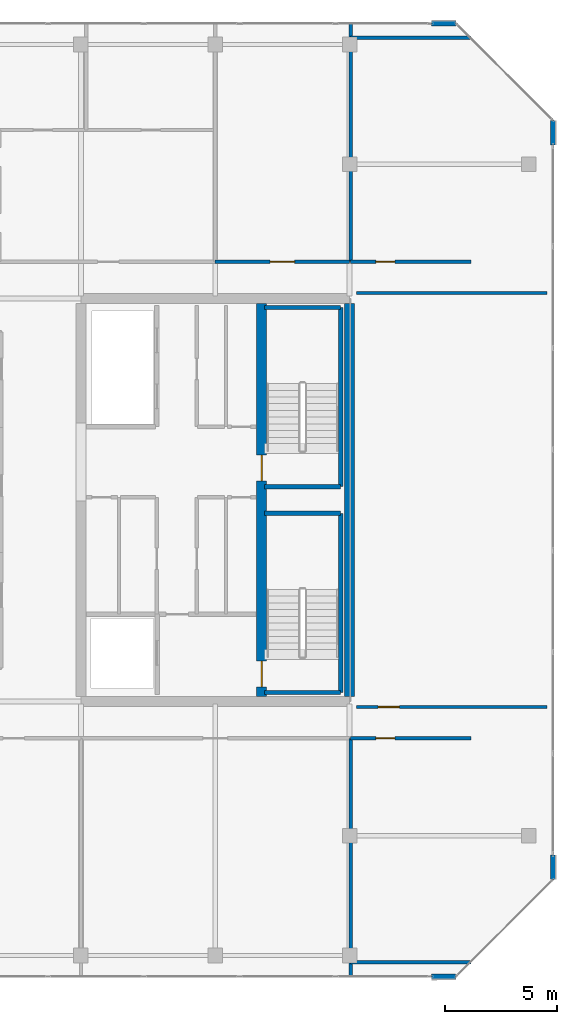
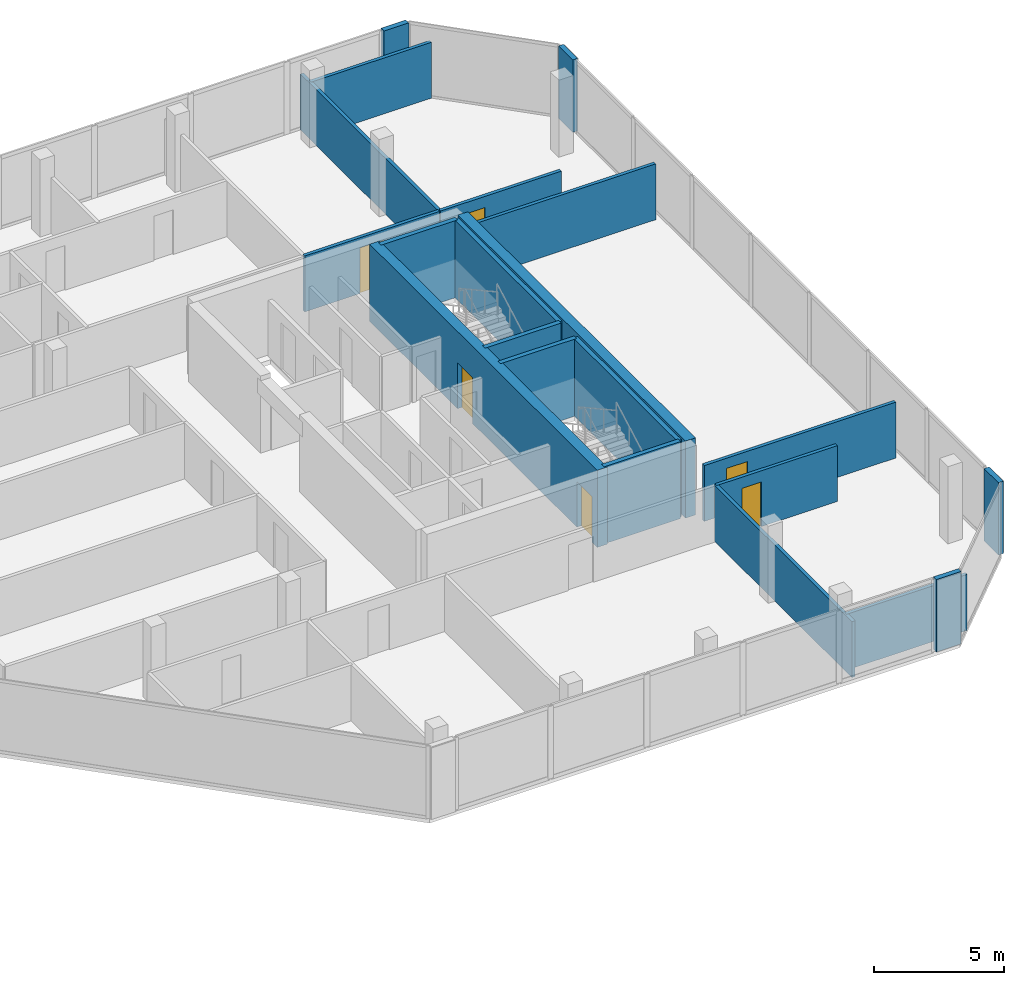
# One storey, part 26 of 30: 21 walls, 6 doors, 6 openings.
"""IFC4 building model written with IfcOpenShell, lengths in metres."""

from ifc_helpers import new_model, si_unit, direction, frame, frame_2d, origin, place, context, subcontext, project, spatial, rectangle, extrude, material, layer, layer_set, type_object, element, fill, save


model = new_model("IFC4")

# Units and contexts
model_context = context("Model", 3, precision=1e-05, world=origin(), true_north=direction((0.0, 1.0)))
body_context = subcontext(model_context, "Body", "Model", "MODEL_VIEW")
ifc_project = project(units=[si_unit("LENGTHUNIT", "METRE"), si_unit("AREAUNIT", "SQUARE_METRE"), si_unit("VOLUMEUNIT", "CUBIC_METRE"), si_unit("PLANEANGLEUNIT", "RADIAN"), si_unit("MASSUNIT", "GRAM", prefix="KILO")], contexts=[model_context])

# Site, building, storey
site_placement = place(None, origin())
site = spatial("IfcSite", under=ifc_project, at=site_placement, CompositionType="ELEMENT")
building_placement = place(site_placement, origin())
building = spatial("IfcBuilding", under=site, at=building_placement, Name="Tanjung Sevakor Pilgrim Tower", CompositionType="ELEMENT")
storey_placement = place(building_placement, frame((0.0, 0.0, 253.43994140625)))
storey = spatial("IfcBuildingStorey", under=building, at=storey_placement, Name="L71", CompositionType="ELEMENT", Elevation=253.43994140625)

# Wall
ifc_material_1 = material(Name="Concrete C60/75", Category="concrete")
ifc_layer_1 = layer(ifc_material_1, 0.449951171875)
ifc_layer_set_1 = layer_set([ifc_layer_1], Name="WALL-CW-450")
wall_type_1 = type_object("IfcWallType", Name="WALL-CW-450", PredefinedType="SHEAR", material=ifc_layer_set_1)
wall_1_placement = place(storey_placement, frame((90.0, 24.824951171875, 0.0), z_axis=(0.0, 0.0, 1.0), x_axis=(0.0, 1.0, 0.0)))
element("IfcWall", 1, at=wall_1_placement, inside=storey, type_object=wall_type_1, Name="L71 E Core Outer Shear Wall", PredefinedType="SHEAR", context=body_context, shape_type="SweptSolid", body=[
    extrude(rectangle(XDim=17.550048828125, YDim=0.449951171875, at=frame_2d((8.77490234375, 0.0))), origin(), (0.0, 0.0, 1.0), 3.630126953125),
])

# Wall, openings, doors
wall_2_placement = place(storey_placement, frame((86.074951171875, 24.824951171875, 0.0), z_axis=(0.0, 0.0, 1.0), x_axis=(0.0, 1.0, 0.0)))
wall_2 = element("IfcWall", 2, at=wall_2_placement, inside=storey, type_object=wall_type_1, Name="L71 E Core Stair Spine Wall", PredefinedType="SHEAR", context=body_context, shape_type="SweptSolid", body=[
    extrude(rectangle(XDim=17.550048828125, YDim=0.449951171875, at=frame_2d((8.77490234375, 0.0))), origin(), (0.0, 0.0, 1.0), 3.630126953125),
])
opening_1_placement = place(wall_2_placement, frame((0.425048828125, 0.0, 0.0)))
opening_1 = element("IfcOpeningElement", 3, at=opening_1_placement, cuts=wall_2, Name="Opening ID-ST1", PredefinedType="OPENING", context=body_context, shape_type="SweptSolid", body=[
    extrude(rectangle(XDim=1.14990234375, YDim=2.14990234375, at=frame_2d((0.574951171875, 1.074951171875))), frame((0.0, 0.23486328125, 0.0), z_axis=(0.0, -1.0, 0.0), x_axis=(1.0, 0.0, 0.0)), (0.0, 0.0, 1.0), 0.469970703125),
])
opening_2_placement = place(wall_2_placement, frame((9.625, 0.0, 0.0)))
opening_2 = element("IfcOpeningElement", 4, at=opening_2_placement, cuts=wall_2, Name="Opening ID-ST1", PredefinedType="OPENING", context=body_context, shape_type="SweptSolid", body=[
    extrude(rectangle(XDim=1.14990234375, YDim=2.14990234375, at=frame_2d((0.574951171875, 1.074951171875))), frame((0.0, 0.23486328125, 0.0), z_axis=(0.0, -1.0, 0.0), x_axis=(1.0, 0.0, 0.0)), (0.0, 0.0, 1.0), 0.469970703125),
])
ifc_material_2 = material(Name="Fire-Rated Steel S355J2", Category="steel")
door_type_1 = type_object("IfcDoorType", Name="DT-FIRE-1150", OperationType="NOTDEFINED", PredefinedType="DOOR", material=ifc_material_2)
door_1_placement = place(opening_1_placement, origin())
door_1 = element("IfcDoor", 5, at=door_1_placement, inside=storey, type_object=door_type_1, Name="L71 TS-E1 Stair Fire Door", OperationType="SINGLE_SWING_RIGHT", OverallHeight=2.14990234375, OverallWidth=1.14990234375, PredefinedType="DOOR", context=body_context, shape_type="SweptSolid", body=[
    extrude(rectangle(XDim=1.14990234375, YDim=2.14990234375, at=frame_2d((0.574951171875, 1.074951171875))), frame((0.0, 0.02490234375, 0.0), z_axis=(0.0, -1.0, 0.0), x_axis=(1.0, 0.0, 0.0)), (0.0, 0.0, 1.0), 0.050048828125),
])
fill(opening_1, door_1)
door_2_placement = place(opening_2_placement, origin())
door_2 = element("IfcDoor", 6, at=door_2_placement, inside=storey, type_object=door_type_1, Name="L71 TS-E2 Stair Fire Door", OperationType="SINGLE_SWING_LEFT", OverallHeight=2.14990234375, OverallWidth=1.14990234375, PredefinedType="DOOR", context=body_context, shape_type="SweptSolid", body=[
    extrude(rectangle(XDim=1.14990234375, YDim=2.14990234375, at=frame_2d((0.574951171875, 1.074951171875))), frame((0.0, 0.02490234375, 0.0), z_axis=(0.0, -1.0, 0.0), x_axis=(1.0, 0.0, 0.0)), (0.0, 0.0, 1.0), 0.050048828125),
])
fill(opening_2, door_2)

# Wall, opening, door
ifc_material_3 = material(Name="Concrete C40/50", Category="concrete")
ifc_layer_2 = layer(ifc_material_3, 0.14990234375)
ifc_layer_set_2 = layer_set([ifc_layer_2], Name="WT-COMP-150")
wall_type_2 = type_object("IfcWallType", Name="WT-COMP-150", PredefinedType="SOLIDWALL", material=ifc_layer_set_2)
wall_3_placement = place(storey_placement, frame((90.300048828125, 24.35009765625, 0.0), z_axis=(0.0, 0.0, 1.0), x_axis=(1.0, 0.0, 0.0)))
wall_3 = element("IfcWall", 7, at=wall_3_placement, inside=storey, type_object=wall_type_2, Name="L71 Partition IW-L71-049", PredefinedType="SOLIDWALL", context=body_context, shape_type="SweptSolid", body=[
    extrude(rectangle(XDim=8.52001953125, YDim=0.14990234375, at=frame_2d((4.260009765625, 0.0))), origin(), (0.0, 0.0, 1.0), 2.6298828125),
])
opening_3_placement = place(wall_3_placement, frame((0.97509765625, 0.0, 0.0)))
opening_3 = element("IfcOpeningElement", 8, at=opening_3_placement, cuts=wall_3, Name="Opening ID-RM1", PredefinedType="OPENING", context=body_context, shape_type="SweptSolid", body=[
    extrude(rectangle(XDim=0.949951171875, YDim=2.14990234375, at=frame_2d((0.47509765625, 1.074951171875))), frame((0.0, 0.0849609375, 0.0), z_axis=(0.0, -1.0, 0.0), x_axis=(1.0, 0.0, 0.0)), (0.0, 0.0, 1.0), 0.169921875),
])
ifc_material_4 = material(Name="Hardwood Timber", Category="wood")
door_type_2 = type_object("IfcDoorType", Name="DT-INT-950", OperationType="NOTDEFINED", PredefinedType="DOOR", material=ifc_material_4)
door_3_placement = place(opening_3_placement, origin())
door_3 = element("IfcDoor", 9, at=door_3_placement, inside=storey, type_object=door_type_2, Name="L71 East Crown Sanctuary Door", OperationType="SINGLE_SWING_RIGHT", OverallHeight=2.14990234375, OverallWidth=0.949951171875, PredefinedType="DOOR", context=body_context, shape_type="SweptSolid", body=[
    extrude(rectangle(XDim=0.949951171875, YDim=2.14990234375, at=frame_2d((0.47509765625, 1.074951171875))), frame((0.0, 0.02490234375, 0.0), z_axis=(0.0, -1.0, 0.0), x_axis=(1.0, 0.0, 0.0)), (0.0, 0.0, 1.0), 0.050048828125),
])
fill(opening_3, door_3)

# Walls
wall_4_placement = place(storey_placement, frame((90.300048828125, 42.85009765625, 0.0), z_axis=(0.0, 0.0, 1.0), x_axis=(1.0, 0.0, 0.0)))
element("IfcWall", 10, at=wall_4_placement, inside=storey, type_object=wall_type_2, Name="L71 Partition IW-L71-050", PredefinedType="SOLIDWALL", context=body_context, shape_type="SweptSolid", body=[
    extrude(rectangle(XDim=8.52001953125, YDim=0.14990234375, at=frame_2d((4.260009765625, 0.0))), origin(), (0.0, 0.0, 1.0), 2.6298828125),
])
wall_5_placement = place(storey_placement, frame((90.050048828125, 12.949951171875, 0.0), z_axis=(0.0, 0.0, 1.0), x_axis=(1.0, 0.0, 0.0)))
element("IfcWall", 11, at=wall_5_placement, inside=storey, type_object=wall_type_2, Name="L71 Partition IW-L71-051", PredefinedType="SOLIDWALL", context=body_context, shape_type="SweptSolid", body=[
    extrude(rectangle(XDim=5.369873046875, YDim=0.14990234375, at=frame_2d((2.68505859375, 0.0))), origin(), (0.0, 0.0, 1.0), 2.6298828125),
])

# Wall, opening, door
wall_6_placement = place(storey_placement, frame((90.050048828125, 22.949951171875, 0.0), z_axis=(0.0, 0.0, 1.0), x_axis=(1.0, 0.0, 0.0)))
wall_6 = element("IfcWall", 12, at=wall_6_placement, inside=storey, type_object=wall_type_2, Name="L71 Partition IW-L71-052", PredefinedType="SOLIDWALL", context=body_context, shape_type="SweptSolid", body=[
    extrude(rectangle(XDim=5.369873046875, YDim=0.14990234375, at=frame_2d((2.68505859375, 0.0))), origin(), (0.0, 0.0, 1.0), 2.6298828125),
])
opening_4_placement = place(wall_6_placement, frame((1.125, 0.0, 0.0)))
opening_4 = element("IfcOpeningElement", 13, at=opening_4_placement, cuts=wall_6, Name="Opening ID-WC1", PredefinedType="OPENING", context=body_context, shape_type="SweptSolid", body=[
    extrude(rectangle(XDim=0.85009765625, YDim=2.10009765625, at=frame_2d((0.425048828125, 1.050048828125))), frame((0.0, 0.0849609375, 0.0), z_axis=(0.0, -1.0, 0.0), x_axis=(1.0, 0.0, 0.0)), (0.0, 0.0, 1.0), 0.169921875),
])
ifc_material_5 = material(Name="Moisture-Resistant Timber", Category="wood")
door_type_3 = type_object("IfcDoorType", Name="DT-INT-850", OperationType="NOTDEFINED", PredefinedType="DOOR", material=ifc_material_5)
door_4_placement = place(opening_4_placement, origin())
door_4 = element("IfcDoor", 14, at=door_4_placement, inside=storey, type_object=door_type_3, Name="L71 SE Crown Study Door", OperationType="SINGLE_SWING_LEFT", OverallHeight=2.10009765625, OverallWidth=0.85009765625, PredefinedType="DOOR", context=body_context, shape_type="SweptSolid", body=[
    extrude(rectangle(XDim=0.85009765625, YDim=2.10009765625, at=frame_2d((0.425048828125, 1.050048828125))), frame((0.0, 0.02490234375, 0.0), z_axis=(0.0, -1.0, 0.0), x_axis=(1.0, 0.0, 0.0)), (0.0, 0.0, 1.0), 0.050048828125),
])
fill(opening_4, door_4)

# Wall
wall_7_placement = place(storey_placement, frame((90.050048828125, 12.340087890625, 0.0), z_axis=(0.0, 0.0, 1.0), x_axis=(0.0, 1.0, 0.0)))
element("IfcWall", 15, at=wall_7_placement, inside=storey, type_object=wall_type_2, Name="L71 Partition IW-L71-053", PredefinedType="SOLIDWALL", context=body_context, shape_type="SweptSolid", body=[
    extrude(rectangle(XDim=10.60986328125, YDim=0.14990234375, at=frame_2d((5.304931640625, 0.0))), origin(), (0.0, 0.0, 1.0), 2.6298828125),
])

# Wall, opening, door
wall_8_placement = place(storey_placement, frame((90.050048828125, 44.25, 0.0), z_axis=(0.0, 0.0, 1.0), x_axis=(1.0, 0.0, 0.0)))
wall_8 = element("IfcWall", 16, at=wall_8_placement, inside=storey, type_object=wall_type_2, Name="L71 Partition IW-L71-054", PredefinedType="SOLIDWALL", context=body_context, shape_type="SweptSolid", body=[
    extrude(rectangle(XDim=5.369873046875, YDim=0.14990234375, at=frame_2d((2.68505859375, 0.0))), origin(), (0.0, 0.0, 1.0), 2.6298828125),
])
opening_5_placement = place(wall_8_placement, frame((1.125, 0.0, 0.0)))
opening_5 = element("IfcOpeningElement", 17, at=opening_5_placement, cuts=wall_8, Name="Opening ID-WC1", PredefinedType="OPENING", context=body_context, shape_type="SweptSolid", body=[
    extrude(rectangle(XDim=0.85009765625, YDim=2.10009765625, at=frame_2d((0.425048828125, 1.050048828125))), frame((0.0, 0.0849609375, 0.0), z_axis=(0.0, -1.0, 0.0), x_axis=(1.0, 0.0, 0.0)), (0.0, 0.0, 1.0), 0.169921875),
])
door_5_placement = place(opening_5_placement, origin())
door_5 = element("IfcDoor", 18, at=door_5_placement, inside=storey, type_object=door_type_3, Name="L71 NE Crown Lounge Door", OperationType="SINGLE_SWING_RIGHT", OverallHeight=2.10009765625, OverallWidth=0.85009765625, PredefinedType="DOOR", context=body_context, shape_type="SweptSolid", body=[
    extrude(rectangle(XDim=0.85009765625, YDim=2.10009765625, at=frame_2d((0.425048828125, 1.050048828125))), frame((0.0, 0.02490234375, 0.0), z_axis=(0.0, -1.0, 0.0), x_axis=(1.0, 0.0, 0.0)), (0.0, 0.0, 1.0), 0.050048828125),
])
fill(opening_5, door_5)

# Walls
wall_9_placement = place(storey_placement, frame((90.050048828125, 54.25, 0.0), z_axis=(0.0, 0.0, 1.0), x_axis=(1.0, 0.0, 0.0)))
element("IfcWall", 19, at=wall_9_placement, inside=storey, type_object=wall_type_2, Name="L71 Partition IW-L71-055", PredefinedType="SOLIDWALL", context=body_context, shape_type="SweptSolid", body=[
    extrude(rectangle(XDim=5.369873046875, YDim=0.14990234375, at=frame_2d((2.68505859375, 0.0))), origin(), (0.0, 0.0, 1.0), 2.6298828125),
])
wall_10_placement = place(storey_placement, frame((90.050048828125, 44.25, 0.0), z_axis=(0.0, 0.0, 1.0), x_axis=(0.0, 1.0, 0.0)))
element("IfcWall", 20, at=wall_10_placement, inside=storey, type_object=wall_type_2, Name="L71 Partition IW-L71-056", PredefinedType="SOLIDWALL", context=body_context, shape_type="SweptSolid", body=[
    extrude(rectangle(XDim=10.610107421875, YDim=0.14990234375, at=frame_2d((5.30517578125, 0.0))), origin(), (0.0, 0.0, 1.0), 2.6298828125),
])

# Wall, opening, door
wall_11_placement = place(storey_placement, frame((84.0, 44.25, 0.0), z_axis=(0.0, 0.0, 1.0), x_axis=(1.0, 0.0, 0.0)))
wall_11 = element("IfcWall", 21, at=wall_11_placement, inside=storey, type_object=wall_type_2, Name="L71 Partition IW-L71-066", PredefinedType="SOLIDWALL", context=body_context, shape_type="SweptSolid", body=[
    extrude(rectangle(XDim=6.0, YDim=0.14990234375, at=frame_2d((3.0, 0.0))), origin(), (0.0, 0.0, 1.0), 2.6298828125),
])
opening_6_placement = place(wall_11_placement, frame((2.449951171875, 0.0, 0.0)))
opening_6 = element("IfcOpeningElement", 22, at=opening_6_placement, cuts=wall_11, Name="Opening ID-FD0", PredefinedType="OPENING", context=body_context, shape_type="SweptSolid", body=[
    extrude(rectangle(XDim=1.10009765625, YDim=2.14990234375, at=frame_2d((0.550048828125, 1.074951171875))), frame((0.0, 0.0849609375, 0.0), z_axis=(0.0, -1.0, 0.0), x_axis=(1.0, 0.0, 0.0)), (0.0, 0.0, 1.0), 0.169921875),
])
ifc_material_6 = material(Name="Fire-Rated Steel S355J2", Category="steel")
door_type_4 = type_object("IfcDoorType", Name="DT-FIRE-1100", OperationType="NOTDEFINED", PredefinedType="DOOR", material=ifc_material_6)
door_6_placement = place(opening_6_placement, origin())
door_6 = element("IfcDoor", 23, at=door_6_placement, inside=storey, type_object=door_type_4, Name="Council Room Door", OperationType="SINGLE_SWING_RIGHT", OverallHeight=2.14990234375, OverallWidth=1.10009765625, PredefinedType="DOOR", context=body_context, shape_type="SweptSolid", body=[
    extrude(rectangle(XDim=1.10009765625, YDim=2.14990234375, at=frame_2d((0.550048828125, 1.074951171875))), frame((0.0, 0.02490234375, 0.0), z_axis=(0.0, -1.0, 0.0), x_axis=(1.0, 0.0, 0.0)), (0.0, 0.0, 1.0), 0.050048828125),
])
fill(opening_6, door_6)

# Walls
ifc_material_7 = material(Name="Precast concrete C45/55", Category="concrete")
ifc_layer_3 = layer(ifc_material_7, 0.219970703125)
ifc_layer_set_3 = layer_set([ifc_layer_3], Name="WT-EW-STN4")
wall_type_3 = type_object("IfcWallType", Name="WT-EW-STN4", PredefinedType="SOLIDWALL", material=ifc_layer_set_3)
for number, where, z_axis, x_axis, name in (
    (24, (93.654296875, 12.31005859375, 0.0), (0.0, 0.0, 1.0), (1.0, 0.0, 0.0), "L71 EAST Crown Pier 0-1B"),
    (25, (99.090087890625, 16.6455078125, 0.0), (0.0, 0.0, 1.0), (0.0, 1.0, 0.0), "L71 EAST Crown Pier 2-1A"),
    (26, (99.090087890625, 49.454345703125, 0.0), (0.0, 0.0, 1.0), (0.0, 1.0, 0.0), "L71 EAST Crown Pier 2-1B"),
    (27, (94.75439453125, 54.889892578125, 0.0), (0.0, 0.0, 1.0), (-1.0, 0.0, 0.0), "L71 EAST Crown Pier 4-1A"),
):
    element("IfcWall", number, at=place(storey_placement, frame(where, z_axis=z_axis, x_axis=x_axis)), inside=storey, type_object=wall_type_3, Name=name, PredefinedType="SOLIDWALL", context=body_context, shape_type="SweptSolid", body=[
        extrude(rectangle(XDim=1.10009765625, YDim=0.219970703125, at=frame_2d((0.550048828125, 0.0))), origin(), (0.0, 0.0, 1.0), 3.409912109375),
    ])
ifc_material_8 = material(Name="Concrete C40/50", Category="concrete")
ifc_layer_4 = layer(ifc_material_8, 0.199951171875)
ifc_layer_set_4 = layer_set([ifc_layer_4], Name="WT-FIRE-200")
wall_type_4 = type_object("IfcWallType", Name="WT-FIRE-200", PredefinedType="SOLIDWALL", material=ifc_layer_set_4)
wall_12_placement = place(storey_placement, frame((86.199951171875, 25.0, 0.0), z_axis=(0.0, 0.0, 1.0), x_axis=(1.0, 0.0, 0.0)))
element("IfcWall", 28, at=wall_12_placement, inside=storey, type_object=wall_type_4, Name="L71 TS-E1 Shaft Wall 1", PredefinedType="SOLIDWALL", context=body_context, shape_type="SweptSolid", body=[
    extrude(rectangle(XDim=3.400146484375, YDim=0.199951171875, at=frame_2d((1.7001953125, 0.0))), origin(), (0.0, 0.0, 1.0), 3.630126953125),
])
wall_13_placement = place(storey_placement, frame((89.60009765625, 25.0, 0.0), z_axis=(0.0, 0.0, 1.0), x_axis=(0.0, 1.0, 0.0)))
element("IfcWall", 29, at=wall_13_placement, inside=storey, type_object=wall_type_4, Name="L71 TS-E1 Shaft Wall 2", PredefinedType="SOLIDWALL", context=body_context, shape_type="SweptSolid", body=[
    extrude(rectangle(XDim=8.0, YDim=0.199951171875, at=frame_2d((4.0, 0.0))), origin(), (0.0, 0.0, 1.0), 3.630126953125),
])
for number, where, z_axis, x_axis, name in (
    (30, (89.60009765625, 33.0, 0.0), (0.0, 0.0, 1.0), (-1.0, 0.0, 0.0), "L71 TS-E1 Shaft Wall 3"),
    (31, (86.199951171875, 34.199951171875, 0.0), (0.0, 0.0, 1.0), (1.0, 0.0, 0.0), "L71 TS-E2 Shaft Wall 1"),
):
    element("IfcWall", number, at=place(storey_placement, frame(where, z_axis=z_axis, x_axis=x_axis)), inside=storey, type_object=wall_type_4, Name=name, PredefinedType="SOLIDWALL", context=body_context, shape_type="SweptSolid", body=[
        extrude(rectangle(XDim=3.400146484375, YDim=0.199951171875, at=frame_2d((1.7001953125, 0.0))), origin(), (0.0, 0.0, 1.0), 3.630126953125),
    ])
wall_14_placement = place(storey_placement, frame((89.60009765625, 34.199951171875, 0.0), z_axis=(0.0, 0.0, 1.0), x_axis=(0.0, 1.0, 0.0)))
element("IfcWall", 32, at=wall_14_placement, inside=storey, type_object=wall_type_4, Name="L71 TS-E2 Shaft Wall 2", PredefinedType="SOLIDWALL", context=body_context, shape_type="SweptSolid", body=[
    extrude(rectangle(XDim=8.0, YDim=0.199951171875, at=frame_2d((4.0, 0.0))), origin(), (0.0, 0.0, 1.0), 3.630126953125),
])
wall_15_placement = place(storey_placement, frame((89.60009765625, 42.199951171875, 0.0), z_axis=(0.0, 0.0, 1.0), x_axis=(-1.0, 0.0, 0.0)))
element("IfcWall", 33, at=wall_15_placement, inside=storey, type_object=wall_type_4, Name="L71 TS-E2 Shaft Wall 3", PredefinedType="SOLIDWALL", context=body_context, shape_type="SweptSolid", body=[
    extrude(rectangle(XDim=3.400146484375, YDim=0.199951171875, at=frame_2d((1.7001953125, 0.0))), origin(), (0.0, 0.0, 1.0), 3.630126953125),
])

save(model, "model.ifc")
